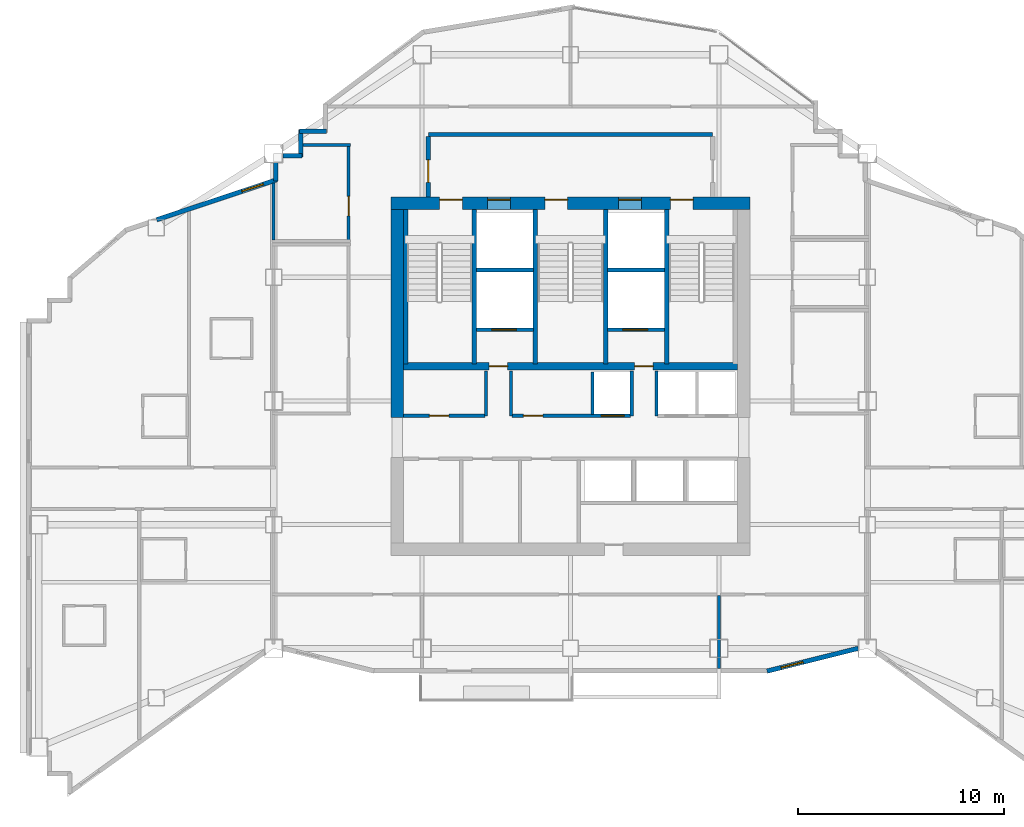
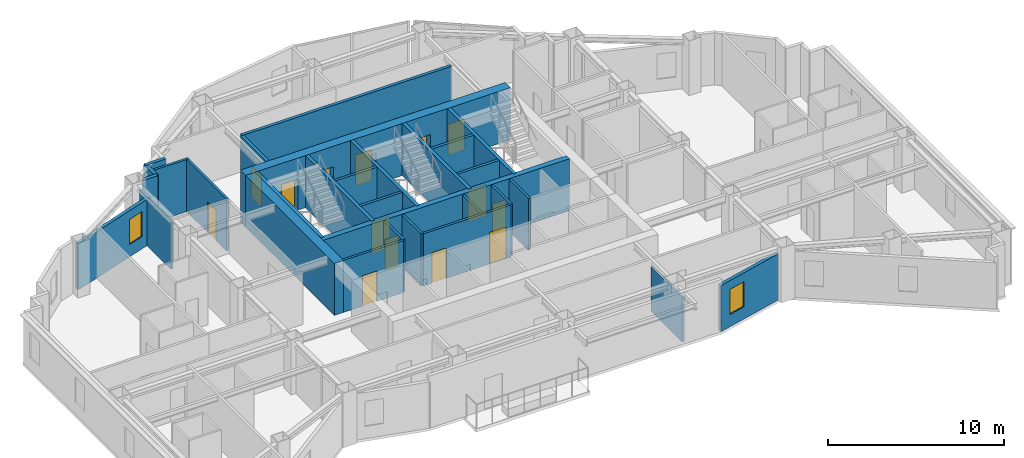
# One storey, part 6 of 12: 31 walls, 14 doors, 2 windows, 16 openings.
"""IFC4 building model written with IfcOpenShell, lengths in metres."""

from ifc_helpers import new_model, si_unit, direction, frame, frame_2d, origin, place, context, subcontext, project, spatial, rectangle, extrude, material, layer, layer_set, type_object, element, fill, save


model = new_model("IFC4")

# Units and contexts
model_context = context("Model", 3, precision=1e-05, world=origin(), true_north=direction((0.0, 1.0)))
body_context = subcontext(model_context, "Body", "Model", "MODEL_VIEW")
ifc_project = project(units=[si_unit("LENGTHUNIT", "METRE"), si_unit("AREAUNIT", "SQUARE_METRE"), si_unit("VOLUMEUNIT", "CUBIC_METRE"), si_unit("PLANEANGLEUNIT", "RADIAN"), si_unit("MASSUNIT", "GRAM", prefix="KILO")], contexts=[model_context])

# Site, building, storey
site_placement = place(None, origin())
site = spatial("IfcSite", under=ifc_project, at=site_placement, CompositionType="ELEMENT")
building_placement = place(site_placement, origin())
building = spatial("IfcBuilding", under=site, at=building_placement, Name="Haolan Belvedere Tower", CompositionType="ELEMENT")
storey_placement = place(building_placement, frame((0.0, 0.0, 184.199951171875)))
storey = spatial("IfcBuildingStorey", under=building, at=storey_placement, Name="L46", CompositionType="ELEMENT", Elevation=184.199951171875)

# Wall, openings, doors
ifc_material_1 = material(Name="Concrete C60/75", Category="concrete")
ifc_layer_1 = layer(ifc_material_1, 0.60009765625, Name="Concrete C60/75")
ifc_layer_set_1 = layer_set([ifc_layer_1], Name="Concrete C60/75")
wall_type_1 = type_object("IfcWallType", Name="WL-CORE-600", PredefinedType="SHEAR", material=ifc_layer_set_1)
wall_1_placement = place(storey_placement, frame((29.699951171875, 43.199951171875, 0.0), z_axis=(0.0, 0.0, 1.0), x_axis=(1.0, 0.0, 0.0)))
wall_1 = element("IfcWall", 1, at=wall_1_placement, inside=storey, type_object=wall_type_1, Name="L46 central core north shear wall", PredefinedType="SHEAR", context=body_context, shape_type="SweptSolid", body=[
    extrude(rectangle(XDim=17.400146484375, YDim=0.60009765625, at=frame_2d((8.7001953125, 0.0))), origin(), (0.0, 0.0, 1.0), 3.6201171875),
])
opening_1_placement = place(wall_1_placement, frame((2.35009765625, 0.0, 0.0)))
opening_1 = element("IfcOpeningElement", 2, at=opening_1_placement, cuts=wall_1, Name="Opening FD-03", PredefinedType="OPENING", context=body_context, shape_type="SweptSolid", body=[
    extrude(rectangle(XDim=1.10009765625, YDim=2.14990234375, at=frame_2d((0.550048828125, 1.074951171875))), frame((0.0, 0.31005859375, 0.0), z_axis=(0.0, -1.0, 0.0), x_axis=(1.0, 0.0, 0.0)), (0.0, 0.0, 1.0), 0.6201171875),
])
opening_2_placement = place(wall_1_placement, frame((7.4599609375, 0.0, 0.0)))
opening_2 = element("IfcOpeningElement", 3, at=opening_2_placement, cuts=wall_1, Name="Opening FD-03", PredefinedType="OPENING", context=body_context, shape_type="SweptSolid", body=[
    extrude(rectangle(XDim=1.10009765625, YDim=2.14990234375, at=frame_2d((0.550048828125, 1.074951171875))), frame((0.0, 0.31005859375, 0.0), z_axis=(0.0, -1.0, 0.0), x_axis=(1.0, 0.0, 0.0)), (0.0, 0.0, 1.0), 0.6201171875),
])
opening_3_placement = place(wall_1_placement, frame((13.550048828125, 0.0, 0.0)))
opening_3 = element("IfcOpeningElement", 4, at=opening_3_placement, cuts=wall_1, Name="Opening FD-03", PredefinedType="OPENING", context=body_context, shape_type="SweptSolid", body=[
    extrude(rectangle(XDim=1.10009765625, YDim=2.14990234375, at=frame_2d((0.550048828125, 1.074951171875))), frame((0.0, 0.31005859375, 0.0), z_axis=(0.0, -1.0, 0.0), x_axis=(1.0, 0.0, 0.0)), (0.0, 0.0, 1.0), 0.6201171875),
])
opening_4_placement = place(wall_1_placement, frame((4.679931640625, 0.0, 0.0)))
opening_4 = element("IfcOpeningElement", 5, at=opening_4_placement, cuts=wall_1, Name="Opening LD-01", PredefinedType="OPENING", context=body_context, shape_type="SweptSolid", body=[
    extrude(rectangle(XDim=1.10009765625, YDim=2.199951171875, at=frame_2d((0.550048828125, 1.10009765625))), frame((0.0, 0.31005859375, 0.0), z_axis=(0.0, -1.0, 0.0), x_axis=(1.0, 0.0, 0.0)), (0.0, 0.0, 1.0), 0.6201171875),
])
opening_5_placement = place(wall_1_placement, frame((11.0400390625, 0.0, 0.0)))
opening_5 = element("IfcOpeningElement", 6, at=opening_5_placement, cuts=wall_1, Name="Opening LD-01", PredefinedType="OPENING", context=body_context, shape_type="SweptSolid", body=[
    extrude(rectangle(XDim=1.10009765625, YDim=2.199951171875, at=frame_2d((0.550048828125, 1.10009765625))), frame((0.0, 0.31005859375, 0.0), z_axis=(0.0, -1.0, 0.0), x_axis=(1.0, 0.0, 0.0)), (0.0, 0.0, 1.0), 0.6201171875),
])
ifc_material_2 = material(Name="Galvanised fire-rated steel", Category="steel")
door_type_1 = type_object("IfcDoorType", Name="DR-FD90-1100", OperationType="NOTDEFINED", PredefinedType="DOOR", material=ifc_material_2)
door_1_placement = place(opening_1_placement, origin())
door_1 = element("IfcDoor", 7, at=door_1_placement, inside=storey, type_object=door_type_1, Name="L46 door CD-L46-ST1", OperationType="SINGLE_SWING_LEFT", OverallHeight=2.14990234375, OverallWidth=1.10009765625, PredefinedType="DOOR", context=body_context, shape_type="SweptSolid", body=[
    extrude(rectangle(XDim=1.10009765625, YDim=2.14990234375, at=frame_2d((0.550048828125, 1.074951171875))), frame((0.0, 0.18505859375, 0.0), z_axis=(0.0, -1.0, 0.0), x_axis=(1.0, 0.0, 0.0)), (0.0, 0.0, 1.0), 0.050048828125),
])
fill(opening_1, door_1)
door_2_placement = place(opening_2_placement, origin())
door_2 = element("IfcDoor", 8, at=door_2_placement, inside=storey, type_object=door_type_1, Name="L46 door CD-L46-ST3", OperationType="SINGLE_SWING_LEFT", OverallHeight=2.14990234375, OverallWidth=1.10009765625, PredefinedType="DOOR", context=body_context, shape_type="SweptSolid", body=[
    extrude(rectangle(XDim=1.10009765625, YDim=2.14990234375, at=frame_2d((0.550048828125, 1.074951171875))), frame((0.0, 0.18505859375, 0.0), z_axis=(0.0, -1.0, 0.0), x_axis=(1.0, 0.0, 0.0)), (0.0, 0.0, 1.0), 0.050048828125),
])
fill(opening_2, door_2)
door_3_placement = place(opening_3_placement, origin())
door_3 = element("IfcDoor", 9, at=door_3_placement, inside=storey, type_object=door_type_1, Name="L46 door CD-L46-ST2", OperationType="SINGLE_SWING_RIGHT", OverallHeight=2.14990234375, OverallWidth=1.10009765625, PredefinedType="DOOR", context=body_context, shape_type="SweptSolid", body=[
    extrude(rectangle(XDim=1.10009765625, YDim=2.14990234375, at=frame_2d((0.550048828125, 1.074951171875))), frame((0.0, 0.18505859375, 0.0), z_axis=(0.0, -1.0, 0.0), x_axis=(1.0, 0.0, 0.0)), (0.0, 0.0, 1.0), 0.050048828125),
])
fill(opening_3, door_3)
ifc_material_3 = material(Name="Brushed champagne stainless steel 316L", Category="steel")
door_type_2 = type_object("IfcDoorType", Name="DR-LIFT-1100", OperationType="SLIDING_TO_LEFT", PredefinedType="DOOR", material=ifc_material_3)
door_4_placement = place(opening_4_placement, origin())
door_4 = element("IfcDoor", 10, at=door_4_placement, inside=storey, type_object=door_type_2, Name="L46 door LD-L46-FF1", OperationType="SLIDING_TO_LEFT", OverallHeight=2.199951171875, OverallWidth=1.10009765625, PredefinedType="DOOR", context=body_context, shape_type="SweptSolid", body=[
    extrude(rectangle(XDim=1.10009765625, YDim=2.199951171875, at=frame_2d((0.550048828125, 1.10009765625))), frame((0.0, 0.18505859375, 0.0), z_axis=(0.0, -1.0, 0.0), x_axis=(1.0, 0.0, 0.0)), (0.0, 0.0, 1.0), 0.050048828125),
])
fill(opening_4, door_4)
door_5_placement = place(opening_5_placement, origin())
door_5 = element("IfcDoor", 11, at=door_5_placement, inside=storey, type_object=door_type_2, Name="L46 door LD-L46-FF2", OperationType="SLIDING_TO_LEFT", OverallHeight=2.199951171875, OverallWidth=1.10009765625, PredefinedType="DOOR", context=body_context, shape_type="SweptSolid", body=[
    extrude(rectangle(XDim=1.10009765625, YDim=2.199951171875, at=frame_2d((0.550048828125, 1.10009765625))), frame((0.0, 0.18505859375, 0.0), z_axis=(0.0, -1.0, 0.0), x_axis=(1.0, 0.0, 0.0)), (0.0, 0.0, 1.0), 0.050048828125),
])
fill(opening_5, door_5)

# Wall
wall_2_placement = place(storey_placement, frame((30.0, 32.800048828125, 0.0), z_axis=(0.0, 0.0, 1.0), x_axis=(0.0, 1.0, 0.0)))
element("IfcWall", 12, at=wall_2_placement, inside=storey, type_object=wall_type_1, Name="L46 central core shear wall WN", PredefinedType="SHEAR", context=body_context, shape_type="SweptSolid", body=[
    extrude(rectangle(XDim=10.099853515625, YDim=0.60009765625, at=frame_2d((5.0498046875, 0.0))), origin(), (0.0, 0.0, 1.0), 3.6201171875),
])

# Wall, opening, window
ifc_material_4 = material(Name="Precast concrete C40/50", Category="concrete")
ifc_layer_2 = layer(ifc_material_4, 0.219970703125, Name="Precast concrete C40/50")
ifc_layer_set_2 = layer_set([ifc_layer_2], Name="Precast concrete C40/50")
wall_type_2 = type_object("IfcWallType", Name="WL-EXT-220", PredefinedType="SOLIDWALL", material=ifc_layer_set_2)
wall_3_placement = place(storey_placement, frame((47.93310546875, 20.49658203125, 0.0), z_axis=(0.0, 0.0, 1.0), x_axis=(0.970142500145, 0.242535625036, 0.0)))
wall_3 = element("IfcWall", 13, at=wall_3_placement, inside=storey, type_object=wall_type_2, Name="L46 pale-metal exterior spandrel wall 2.1", PredefinedType="SOLIDWALL", context=body_context, shape_type="SweptSolid", body=[
    extrude(rectangle(XDim=4.56103515625, YDim=0.219970703125, at=frame_2d((2.280517578125, 0.0))), origin(), (0.0, 0.0, 1.0), 3.215087890625),
])
opening_6_placement = place(wall_3_placement, frame((0.699951171875, 0.0, 0.85009765625)))
opening_6 = element("IfcOpeningElement", 14, at=opening_6_placement, cuts=wall_3, Name="Opening W-03", PredefinedType="OPENING", context=body_context, shape_type="SweptSolid", body=[
    extrude(rectangle(XDim=1.10009765625, YDim=1.75, at=frame_2d((0.550048828125, 0.875))), frame((0.0, 0.119873046875, 0.0), z_axis=(0.0, -1.0, 0.0), x_axis=(1.0, 0.0, 0.0)), (0.0, 0.0, 1.0), 0.239990234375),
])
ifc_material_5 = material(Name="Anodised aluminium 6063-T6 and Low-E glass", Category="aluminium")
window_type = type_object("IfcWindowType", Name="WN-DECO-Z3", PartitioningType="SINGLE_PANEL", PredefinedType="WINDOW", material=ifc_material_5)
window_1_placement = place(opening_6_placement, origin())
window_1 = element("IfcWindow", 15, at=window_1_placement, inside=storey, type_object=window_type, Name="L46 Art Deco chevron window 1", OverallHeight=1.75, OverallWidth=1.10009765625, PartitioningType="SINGLE_PANEL", PredefinedType="WINDOW", context=body_context, shape_type="SweptSolid", body=[
    extrude(rectangle(XDim=1.10009765625, YDim=1.75, at=frame_2d((0.550048828125, 0.875))), frame((0.0, 0.030029296875, 0.0), z_axis=(0.0, -1.0, 0.0), x_axis=(1.0, 0.0, 0.0)), (0.0, 0.0, 1.0), 0.06005859375),
])
fill(opening_6, window_1)

# Walls
for number, where, z_axis, x_axis, name in (
    (16, (26.56494140625, 46.68994140625, 0.0), (0.0, 0.0, 1.0), (-1.0, 0.0, 0.0), "L46 pale-metal exterior spandrel wall 25.1"),
    (17, (25.31005859375, 46.7451171875, 0.0), (0.0, 0.0, 1.0), (0.0, -1.0, 0.0), "L46 pale-metal exterior spandrel wall 26.1"),
):
    element("IfcWall", number, at=place(storey_placement, frame(where, z_axis=z_axis, x_axis=x_axis)), inside=storey, type_object=wall_type_2, Name=name, PredefinedType="SOLIDWALL", context=body_context, shape_type="SweptSolid", body=[
        extrude(rectangle(XDim=1.31005859375, YDim=0.219970703125, at=frame_2d((0.655029296875, 0.0))), origin(), (0.0, 0.0, 1.0), 3.6201171875),
    ])
wall_4_placement = place(storey_placement, frame((25.364990234375, 45.489990234375, 0.0), z_axis=(0.0, 0.0, 1.0), x_axis=(-1.0, 0.0, 0.0)))
element("IfcWall", 18, at=wall_4_placement, inside=storey, type_object=wall_type_2, Name="L46 pale-metal exterior spandrel wall 27.1", PredefinedType="SOLIDWALL", context=body_context, shape_type="SweptSolid", body=[
    extrude(rectangle(XDim=0.923095703125, YDim=0.219970703125, at=frame_2d((0.46142578125, 0.0))), origin(), (0.0, 0.0, 1.0), 3.6201171875),
])
wall_5_placement = place(storey_placement, frame((24.110107421875, 45.157958984375, 0.0), z_axis=(0.0, 0.0, 1.0), x_axis=(0.0, -1.0, 0.0)))
element("IfcWall", 19, at=wall_5_placement, inside=storey, type_object=wall_type_2, Name="L46 pale-metal exterior spandrel wall 28.1", PredefinedType="SOLIDWALL", context=body_context, shape_type="SweptSolid", body=[
    extrude(rectangle(XDim=0.892333984375, YDim=0.219970703125, at=frame_2d((0.4462890625, 0.0))), origin(), (0.0, 0.0, 1.0), 3.215087890625),
])

# Wall, opening, window
wall_6_placement = place(storey_placement, frame((24.162109375, 44.338134765625, 0.0), z_axis=(0.0, 0.0, 1.0), x_axis=(-0.948687265055, -0.316215864755, 0.0)))
wall_6 = element("IfcWall", 20, at=wall_6_placement, inside=storey, type_object=wall_type_2, Name="L46 pale-metal exterior spandrel wall 29.1", PredefinedType="SOLIDWALL", context=body_context, shape_type="SweptSolid", body=[
    extrude(rectangle(XDim=6.154052734375, YDim=0.219970703125, at=frame_2d((3.0771484375, 0.0))), origin(), (0.0, 0.0, 1.0), 3.215087890625),
])
opening_7_placement = place(wall_6_placement, frame((0.699951171875, 0.0, 0.85009765625)))
opening_7 = element("IfcOpeningElement", 21, at=opening_7_placement, cuts=wall_6, Name="Opening W-03", PredefinedType="OPENING", context=body_context, shape_type="SweptSolid", body=[
    extrude(rectangle(XDim=1.10009765625, YDim=1.75, at=frame_2d((0.550048828125, 0.875))), frame((0.0, 0.119873046875, 0.0), z_axis=(0.0, -1.0, 0.0), x_axis=(1.0, 0.0, 0.0)), (0.0, 0.0, 1.0), 0.239990234375),
])
window_2_placement = place(opening_7_placement, origin())
window_2 = element("IfcWindow", 22, at=window_2_placement, inside=storey, type_object=window_type, Name="L46 Art Deco chevron window 1", OverallHeight=1.75, OverallWidth=1.10009765625, PartitioningType="SINGLE_PANEL", PredefinedType="WINDOW", context=body_context, shape_type="SweptSolid", body=[
    extrude(rectangle(XDim=1.10009765625, YDim=1.75, at=frame_2d((0.550048828125, 0.875))), frame((0.0, 0.030029296875, 0.0), z_axis=(0.0, -1.0, 0.0), x_axis=(1.0, 0.0, 0.0)), (0.0, 0.0, 1.0), 0.06005859375),
])
fill(opening_7, window_2)

# Wall
ifc_material_6 = material(Name="Concrete C40/50", Category="concrete")
ifc_layer_3 = layer(ifc_material_6, 0.199951171875, Name="Concrete C40/50")
ifc_layer_set_3 = layer_set([ifc_layer_3], Name="Concrete C40/50")
wall_type_3 = type_object("IfcWallType", Name="WL-FIRE-200", PredefinedType="SOLIDWALL", material=ifc_layer_set_3)
wall_7_placement = place(storey_placement, frame((31.5, 46.52001953125, 0.0), z_axis=(0.0, 0.0, 1.0), x_axis=(1.0, 0.0, 0.0)))
element("IfcWall", 23, at=wall_7_placement, inside=storey, type_object=wall_type_3, Name="L46 interior partition IW-L46-FFL-N", PredefinedType="SOLIDWALL", context=body_context, shape_type="SweptSolid", body=[
    extrude(rectangle(XDim=13.800048828125, YDim=0.199951171875, at=frame_2d((6.89990234375, 0.0))), origin(), (0.0, 0.0, 1.0), 3.6201171875),
])

# Wall, opening, door
wall_8_placement = place(storey_placement, frame((31.5, 43.5, 0.0), z_axis=(0.0, 0.0, 1.0), x_axis=(0.0, 1.0, 0.0)))
wall_8 = element("IfcWall", 24, at=wall_8_placement, inside=storey, type_object=wall_type_3, Name="L46 interior partition IW-L46-FFL-W", PredefinedType="SOLIDWALL", context=body_context, shape_type="SweptSolid", body=[
    extrude(rectangle(XDim=2.93505859375, YDim=0.199951171875, at=frame_2d((1.467529296875, 0.0))), origin(), (0.0, 0.0, 1.0), 3.6201171875),
])
opening_8_placement = place(wall_8_placement, frame((1.800048828125, 0.0, 0.0), z_axis=(0.0, 0.0, 1.0), x_axis=(-1.0, 0.0, 0.0)))
opening_8 = element("IfcOpeningElement", 25, at=opening_8_placement, cuts=wall_8, Name="Opening FD-03", PredefinedType="OPENING", context=body_context, shape_type="SweptSolid", body=[
    extrude(rectangle(XDim=1.10009765625, YDim=2.14990234375, at=frame_2d((0.550048828125, 1.074951171875))), frame((0.0, 0.10986328125, 0.0), z_axis=(0.0, -1.0, 0.0), x_axis=(1.0, 0.0, 0.0)), (0.0, 0.0, 1.0), 0.219970703125),
])
door_6_placement = place(opening_8_placement, origin())
door_6 = element("IfcDoor", 26, at=door_6_placement, inside=storey, type_object=door_type_1, Name="L46 door ID-L46-FFL-DW", OperationType="SINGLE_SWING_LEFT", OverallHeight=2.14990234375, OverallWidth=1.10009765625, PredefinedType="DOOR", context=body_context, shape_type="SweptSolid", body=[
    extrude(rectangle(XDim=1.10009765625, YDim=2.14990234375, at=frame_2d((0.550048828125, 1.074951171875))), frame((0.0, 0.02490234375, 0.0), z_axis=(0.0, -1.0, 0.0), x_axis=(1.0, 0.0, 0.0)), (0.0, 0.0, 1.0), 0.050048828125),
])
fill(opening_8, door_6)

# Walls
ifc_material_7 = material(Name="Double gypsum acoustic stud partition", Category="masonry")
ifc_layer_4 = layer(ifc_material_7, 0.14990234375, Name="Double gypsum acoustic stud partition")
ifc_layer_set_4 = layer_set([ifc_layer_4], Name="Double gypsum acoustic stud partition")
wall_type_4 = type_object("IfcWallType", Name="WL-PART-150", PredefinedType="PARTITIONING", material=ifc_layer_set_4)
wall_9_placement = place(storey_placement, frame((25.412109375, 46.02001953125, 0.0), z_axis=(0.0, 0.0, 1.0), x_axis=(1.0, 0.0, 0.0)))
element("IfcWall", 27, at=wall_9_placement, inside=storey, type_object=wall_type_4, Name="L46 interior partition IW-L46-HSK-N", PredefinedType="PARTITIONING", context=body_context, shape_type="SweptSolid", body=[
    extrude(rectangle(XDim=2.307861328125, YDim=0.14990234375, at=frame_2d((1.15380859375, 0.0))), origin(), (0.0, 0.0, 1.0), 3.6201171875),
])
wall_10_placement = place(storey_placement, frame((24.0, 41.419921875, 0.0), z_axis=(0.0, 0.0, 1.0), x_axis=(0.0, 1.0, 0.0)))
element("IfcWall", 28, at=wall_10_placement, inside=storey, type_object=wall_type_4, Name="L46 interior partition IW-L46-HSK-W", PredefinedType="PARTITIONING", context=body_context, shape_type="SweptSolid", body=[
    extrude(rectangle(XDim=2.756591796875, YDim=0.14990234375, at=frame_2d((1.37841796875, 0.0))), origin(), (0.0, 0.0, 1.0), 3.215087890625),
])

# Wall, opening, door
wall_11_placement = place(storey_placement, frame((27.639892578125, 41.419921875, 0.0), z_axis=(0.0, 0.0, 1.0), x_axis=(0.0, 1.0, 0.0)))
wall_11 = element("IfcWall", 29, at=wall_11_placement, inside=storey, type_object=wall_type_4, Name="L46 interior partition IW-L46-HSK-E", PredefinedType="PARTITIONING", context=body_context, shape_type="SweptSolid", body=[
    extrude(rectangle(XDim=4.5400390625, YDim=0.14990234375, at=frame_2d((2.27001953125, 0.0))), origin(), (0.0, 0.0, 1.0), 3.6201171875),
])
opening_9_placement = place(wall_11_placement, frame((2.10986328125, 0.0, 0.0), z_axis=(0.0, 0.0, 1.0), x_axis=(-1.0, 0.0, 0.0)))
opening_9 = element("IfcOpeningElement", 30, at=opening_9_placement, cuts=wall_11, Name="Opening ID-03", PredefinedType="OPENING", context=body_context, shape_type="SweptSolid", body=[
    extrude(rectangle(XDim=0.949951171875, YDim=2.1201171875, at=frame_2d((0.47509765625, 1.06005859375))), frame((0.0, 0.0849609375, 0.0), z_axis=(0.0, -1.0, 0.0), x_axis=(1.0, 0.0, 0.0)), (0.0, 0.0, 1.0), 0.169921875),
])
ifc_material_8 = material(Name="Painted solid-core timber", Category="wood")
door_type_3 = type_object("IfcDoorType", Name="DR-INT-950", OperationType="NOTDEFINED", PredefinedType="DOOR", material=ifc_material_8)
door_7_placement = place(opening_9_placement, origin())
door_7 = element("IfcDoor", 31, at=door_7_placement, inside=storey, type_object=door_type_3, Name="L46 door ID-L46-HSK", OperationType="SINGLE_SWING_RIGHT", OverallHeight=2.1201171875, OverallWidth=0.949951171875, PredefinedType="DOOR", context=body_context, shape_type="SweptSolid", body=[
    extrude(rectangle(XDim=0.949951171875, YDim=2.1201171875, at=frame_2d((0.47509765625, 1.06005859375))), frame((0.0, 0.02490234375, 0.0), z_axis=(0.0, -1.0, 0.0), x_axis=(1.0, 0.0, 0.0)), (0.0, 0.0, 1.0), 0.050048828125),
])
fill(opening_9, door_7)

# Walls
wall_12_placement = place(storey_placement, frame((45.60009765625, 20.612060546875, 0.0), z_axis=(0.0, 0.0, 1.0), x_axis=(0.0, 1.0, 0.0)))
element("IfcWall", 32, at=wall_12_placement, inside=storey, type_object=wall_type_4, Name="L46 interior partition IW-L46-KS2-E", PredefinedType="PARTITIONING", context=body_context, shape_type="SweptSolid", body=[
    extrude(rectangle(XDim=3.5478515625, YDim=0.14990234375, at=frame_2d((1.77392578125, 0.0))), origin(), (0.0, 0.0, 1.0), 3.10498046875),
])
ifc_material_9 = material(Name="Gypsum fire shaftwall assembly", Category="masonry")
ifc_layer_5 = layer(ifc_material_9, 0.1650390625, Name="Gypsum fire shaftwall assembly")
ifc_layer_set_5 = layer_set([ifc_layer_5], Name="Gypsum fire shaftwall assembly")
wall_type_5 = type_object("IfcWallType", Name="WL-SHAFT-160", PredefinedType="SOLIDWALL", material=ifc_layer_set_5)
for number, where, z_axis, x_axis, name in (
    (33, (34.31005859375, 32.8798828125, 0.0), (0.0, 0.0, 1.0), (0.0, 1.0, 0.0), "L46 interior partition IW-L46-SVP-W-SV1"),
    (34, (35.510009765625, 32.8798828125, 0.0), (0.0, 0.0, 1.0), (0.0, 1.0, 0.0), "L46 interior partition IW-L46-SVP-E-SV1"),
    (35, (41.3701171875, 32.8798828125, 0.0), (0.0, 0.0, 1.0), (0.0, 1.0, 0.0), "L46 interior partition IW-L46-SVP-W-SV2"),
    (36, (42.570068359375, 32.8798828125, 0.0), (0.0, 0.0, 1.0), (0.0, 1.0, 0.0), "L46 interior partition IW-L46-SVP-E-SV2"),
):
    element("IfcWall", number, at=place(storey_placement, frame(where, z_axis=z_axis, x_axis=x_axis)), inside=storey, type_object=wall_type_5, Name=name, PredefinedType="SOLIDWALL", context=body_context, shape_type="SweptSolid", body=[
        extrude(rectangle(XDim=2.170166015625, YDim=0.14990234375, at=frame_2d((1.0849609375, 0.0))), origin(), (0.0, 0.0, 1.0), 3.6201171875),
    ])

# Wall, opening, door
wall_13_placement = place(storey_placement, frame((30.300048828125, 32.8798828125, 0.0), z_axis=(0.0, 0.0, 1.0), x_axis=(1.0, 0.0, 0.0)))
wall_13 = element("IfcWall", 37, at=wall_13_placement, inside=storey, type_object=wall_type_5, Name="L46 interior partition IW-L46-ROW-PN1", PredefinedType="SOLIDWALL", context=body_context, shape_type="SweptSolid", body=[
    extrude(rectangle(XDim=3.949951171875, YDim=0.159912109375, at=frame_2d((1.97509765625, 0.0))), origin(), (0.0, 0.0, 1.0), 3.6201171875),
])
opening_10_placement = place(wall_13_placement, frame((2.199951171875, 0.0, 0.0), z_axis=(0.0, 0.0, 1.0), x_axis=(-1.0, 0.0, 0.0)))
opening_10 = element("IfcOpeningElement", 38, at=opening_10_placement, cuts=wall_13, Name="Opening ID-03", PredefinedType="OPENING", context=body_context, shape_type="SweptSolid", body=[
    extrude(rectangle(XDim=0.949951171875, YDim=2.1201171875, at=frame_2d((0.47509765625, 1.06005859375))), frame((0.0, 0.08984375, 0.0), z_axis=(0.0, -1.0, 0.0), x_axis=(1.0, 0.0, 0.0)), (0.0, 0.0, 1.0), 0.179931640625),
])
door_8_placement = place(opening_10_placement, origin())
door_8 = element("IfcDoor", 39, at=door_8_placement, inside=storey, type_object=door_type_3, Name="L46 door ID-L46-CD-RPLW", OperationType="SINGLE_SWING_LEFT", OverallHeight=2.1201171875, OverallWidth=0.949951171875, PredefinedType="DOOR", context=body_context, shape_type="SweptSolid", body=[
    extrude(rectangle(XDim=0.949951171875, YDim=2.1201171875, at=frame_2d((0.47509765625, 1.06005859375))), frame((0.0, 0.02490234375, 0.0), z_axis=(0.0, -1.0, 0.0), x_axis=(1.0, 0.0, 0.0)), (0.0, 0.0, 1.0), 0.050048828125),
])
fill(opening_10, door_8)

# Wall, openings, doors
wall_14_placement = place(storey_placement, frame((35.570068359375, 32.8798828125, 0.0), z_axis=(0.0, 0.0, 1.0), x_axis=(1.0, 0.0, 0.0)))
wall_14 = element("IfcWall", 40, at=wall_14_placement, inside=storey, type_object=wall_type_5, Name="L46 interior partition IW-L46-ROW-PN2", PredefinedType="SOLIDWALL", context=body_context, shape_type="SweptSolid", body=[
    extrude(rectangle(XDim=5.739990234375, YDim=0.159912109375, at=frame_2d((2.8701171875, 0.0))), origin(), (0.0, 0.0, 1.0), 3.6201171875),
])
opening_11_placement = place(wall_14_placement, frame((1.489990234375, 0.0, 0.0), z_axis=(0.0, 0.0, 1.0), x_axis=(-1.0, 0.0, 0.0)))
opening_11 = element("IfcOpeningElement", 41, at=opening_11_placement, cuts=wall_14, Name="Opening ID-03", PredefinedType="OPENING", context=body_context, shape_type="SweptSolid", body=[
    extrude(rectangle(XDim=0.949951171875, YDim=2.1201171875, at=frame_2d((0.47509765625, 1.06005859375))), frame((0.0, 0.08984375, 0.0), z_axis=(0.0, -1.0, 0.0), x_axis=(1.0, 0.0, 0.0)), (0.0, 0.0, 1.0), 0.179931640625),
])
opening_12_placement = place(wall_14_placement, frame((5.43017578125, 0.0, 0.0), z_axis=(0.0, 0.0, 1.0), x_axis=(-1.0, 0.0, 0.0)))
opening_12 = element("IfcOpeningElement", 42, at=opening_12_placement, cuts=wall_14, Name="Opening LD-01", PredefinedType="OPENING", context=body_context, shape_type="SweptSolid", body=[
    extrude(rectangle(XDim=1.10009765625, YDim=2.199951171875, at=frame_2d((0.550048828125, 1.10009765625))), frame((0.0, 0.08984375, 0.0), z_axis=(0.0, -1.0, 0.0), x_axis=(1.0, 0.0, 0.0)), (0.0, 0.0, 1.0), 0.179931640625),
])
door_9_placement = place(opening_11_placement, origin())
door_9 = element("IfcDoor", 43, at=door_9_placement, inside=storey, type_object=door_type_3, Name="L46 door ID-L46-CD-RPLE", OperationType="SINGLE_SWING_RIGHT", OverallHeight=2.1201171875, OverallWidth=0.949951171875, PredefinedType="DOOR", context=body_context, shape_type="SweptSolid", body=[
    extrude(rectangle(XDim=0.949951171875, YDim=2.1201171875, at=frame_2d((0.47509765625, 1.06005859375))), frame((0.0, 0.02490234375, 0.0), z_axis=(0.0, -1.0, 0.0), x_axis=(1.0, 0.0, 0.0)), (0.0, 0.0, 1.0), 0.050048828125),
])
fill(opening_11, door_9)
door_10_placement = place(opening_12_placement, origin())
door_10 = element("IfcDoor", 44, at=door_10_placement, inside=storey, type_object=door_type_2, Name="L46 door ID-L46-LD-PH1", OperationType="SLIDING_TO_RIGHT", OverallHeight=2.199951171875, OverallWidth=1.10009765625, PredefinedType="DOOR", context=body_context, shape_type="SweptSolid", body=[
    extrude(rectangle(XDim=1.10009765625, YDim=2.199951171875, at=frame_2d((0.550048828125, 1.10009765625))), frame((0.0, 0.02490234375, 0.0), z_axis=(0.0, -1.0, 0.0), x_axis=(1.0, 0.0, 0.0)), (0.0, 0.0, 1.0), 0.050048828125),
])
fill(opening_12, door_10)

# Walls
wall_15_placement = place(storey_placement, frame((39.469970703125, 32.949951171875, 0.0), z_axis=(0.0, 0.0, 1.0), x_axis=(0.0, 1.0, 0.0)))
element("IfcWall", 45, at=wall_15_placement, inside=storey, type_object=wall_type_5, Name="L46 interior partition IW-L46-DIV-PL4R", PredefinedType="SOLIDWALL", context=body_context, shape_type="SweptSolid", body=[
    extrude(rectangle(XDim=2.050048828125, YDim=0.14990234375, at=frame_2d((1.02490234375, 0.0))), origin(), (0.0, 0.0, 1.0), 3.6201171875),
])
ifc_layer_6 = layer(ifc_material_4, 0.179931640625, Name="Precast concrete C40/50")
ifc_layer_set_6 = layer_set([ifc_layer_6], Name="Precast concrete C40/50")
wall_type_6 = type_object("IfcWallType", Name="WL-SHAFT-180", PredefinedType="SOLIDWALL", material=ifc_layer_set_6)
for number, where, z_axis, x_axis, name in (
    (46, (33.8349609375, 39.949951171875, 0.0), (0.0, 0.0, 1.0), (1.0, 0.0, 0.0), "L46 interior partition IW-L46-FF1-S"),
    (47, (40.195068359375, 39.949951171875, 0.0), (0.0, 0.0, 1.0), (1.0, 0.0, 0.0), "L46 interior partition IW-L46-FF2-S"),
):
    element("IfcWall", number, at=place(storey_placement, frame(where, z_axis=z_axis, x_axis=x_axis)), inside=storey, type_object=wall_type_6, Name=name, PredefinedType="SOLIDWALL", context=body_context, shape_type="SweptSolid", body=[
        extrude(rectangle(XDim=2.77001953125, YDim=0.179931640625, at=frame_2d((1.385009765625, 0.0))), origin(), (0.0, 0.0, 1.0), 3.6201171875),
    ])

# Wall, opening, door
wall_16_placement = place(storey_placement, frame((33.8349609375, 37.050048828125, 0.0), z_axis=(0.0, 0.0, 1.0), x_axis=(1.0, 0.0, 0.0)))
wall_16 = element("IfcWall", 48, at=wall_16_placement, inside=storey, type_object=wall_type_6, Name="L46 interior partition IW-L46-SV1-S", PredefinedType="SOLIDWALL", context=body_context, shape_type="SweptSolid", body=[
    extrude(rectangle(XDim=2.77001953125, YDim=0.179931640625, at=frame_2d((1.385009765625, 0.0))), origin(), (0.0, 0.0, 1.0), 3.6201171875),
])
opening_13_placement = place(wall_16_placement, frame((1.945068359375, 0.0, 0.0), z_axis=(0.0, 0.0, 1.0), x_axis=(-1.0, 0.0, 0.0)))
opening_13 = element("IfcOpeningElement", 49, at=opening_13_placement, cuts=wall_16, Name="Opening LD-02", PredefinedType="OPENING", context=body_context, shape_type="SweptSolid", body=[
    extrude(rectangle(XDim=1.199951171875, YDim=2.199951171875, at=frame_2d((0.60009765625, 1.10009765625))), frame((0.0, 0.099853515625, 0.0), z_axis=(0.0, -1.0, 0.0), x_axis=(1.0, 0.0, 0.0)), (0.0, 0.0, 1.0), 0.199951171875),
])
door_type_4 = type_object("IfcDoorType", Name="DR-LIFT-1200", OperationType="SLIDING_TO_RIGHT", PredefinedType="DOOR", material=ifc_material_3)
door_11_placement = place(opening_13_placement, origin())
door_11 = element("IfcDoor", 50, at=door_11_placement, inside=storey, type_object=door_type_4, Name="L46 door ID-L46-LD-SV1", OperationType="SLIDING_TO_RIGHT", OverallHeight=2.199951171875, OverallWidth=1.199951171875, PredefinedType="DOOR", context=body_context, shape_type="SweptSolid", body=[
    extrude(rectangle(XDim=1.199951171875, YDim=2.199951171875, at=frame_2d((0.60009765625, 1.10009765625))), frame((0.0, 0.02490234375, 0.0), z_axis=(0.0, -1.0, 0.0), x_axis=(1.0, 0.0, 0.0)), (0.0, 0.0, 1.0), 0.050048828125),
])
fill(opening_13, door_11)

wall_17_placement = place(storey_placement, frame((40.195068359375, 37.050048828125, 0.0), z_axis=(0.0, 0.0, 1.0), x_axis=(1.0, 0.0, 0.0)))
wall_17 = element("IfcWall", 51, at=wall_17_placement, inside=storey, type_object=wall_type_6, Name="L46 interior partition IW-L46-SV2-S", PredefinedType="SOLIDWALL", context=body_context, shape_type="SweptSolid", body=[
    extrude(rectangle(XDim=2.77001953125, YDim=0.179931640625, at=frame_2d((1.385009765625, 0.0))), origin(), (0.0, 0.0, 1.0), 3.6201171875),
])
opening_14_placement = place(wall_17_placement, frame((1.945068359375, 0.0, 0.0), z_axis=(0.0, 0.0, 1.0), x_axis=(-1.0, 0.0, 0.0)))
opening_14 = element("IfcOpeningElement", 52, at=opening_14_placement, cuts=wall_17, Name="Opening LD-02", PredefinedType="OPENING", context=body_context, shape_type="SweptSolid", body=[
    extrude(rectangle(XDim=1.199951171875, YDim=2.199951171875, at=frame_2d((0.60009765625, 1.10009765625))), frame((0.0, 0.099853515625, 0.0), z_axis=(0.0, -1.0, 0.0), x_axis=(1.0, 0.0, 0.0)), (0.0, 0.0, 1.0), 0.199951171875),
])
door_12_placement = place(opening_14_placement, origin())
door_12 = element("IfcDoor", 53, at=door_12_placement, inside=storey, type_object=door_type_4, Name="L46 door ID-L46-LD-SV2", OperationType="SLIDING_TO_RIGHT", OverallHeight=2.199951171875, OverallWidth=1.199951171875, PredefinedType="DOOR", context=body_context, shape_type="SweptSolid", body=[
    extrude(rectangle(XDim=1.199951171875, YDim=2.199951171875, at=frame_2d((0.60009765625, 1.10009765625))), frame((0.0, 0.02490234375, 0.0), z_axis=(0.0, -1.0, 0.0), x_axis=(1.0, 0.0, 0.0)), (0.0, 0.0, 1.0), 0.050048828125),
])
fill(opening_14, door_12)

# Walls
ifc_material_10 = material(Name="Concrete C50/60", Category="concrete")
ifc_layer_7 = layer(ifc_material_10, 0.219970703125, Name="Concrete C50/60")
ifc_layer_set_7 = layer_set([ifc_layer_7], Name="Concrete C50/60")
wall_type_7 = type_object("IfcWallType", Name="WL-STAIR-220", PredefinedType="SHEAR", material=ifc_layer_set_7)
for number, where, z_axis, x_axis, name in (
    (54, (30.412109375, 35.389892578125, 0.0), (0.0, 0.0, 1.0), (0.0, 1.0, 0.0), "L46 structural stair core wall ST1W"),
    (55, (33.739990234375, 35.389892578125, 0.0), (0.0, 0.0, 1.0), (0.0, 1.0, 0.0), "L46 structural stair core wall ST1E"),
    (56, (36.699951171875, 35.389892578125, 0.0), (0.0, 0.0, 1.0), (0.0, 1.0, 0.0), "L46 structural stair core wall ST3W"),
    (57, (40.10009765625, 35.389892578125, 0.0), (0.0, 0.0, 1.0), (0.0, 1.0, 0.0), "L46 structural stair core wall ST3E"),
    (58, (43.06005859375, 35.389892578125, 0.0), (0.0, 0.0, 1.0), (0.0, 1.0, 0.0), "L46 structural stair core wall ST2W"),
):
    element("IfcWall", number, at=place(storey_placement, frame(where, z_axis=z_axis, x_axis=x_axis)), inside=storey, type_object=wall_type_7, Name=name, PredefinedType="SHEAR", context=body_context, shape_type="SweptSolid", body=[
        extrude(rectangle(XDim=7.510009765625, YDim=0.219970703125, at=frame_2d((3.7548828125, 0.0))), origin(), (0.0, 0.0, 1.0), 3.6201171875),
    ])

# Wall, openings, doors
ifc_layer_8 = layer(ifc_material_1, 0.360107421875, Name="Concrete C60/75")
ifc_layer_set_8 = layer_set([ifc_layer_8], Name="Concrete C60/75")
wall_type_8 = type_object("IfcWallType", Name="WL-WEB-350", PredefinedType="SHEAR", material=ifc_layer_set_8)
wall_18_placement = place(storey_placement, frame((30.300048828125, 35.2900390625, 0.0), z_axis=(0.0, 0.0, 1.0), x_axis=(1.0, 0.0, 0.0)))
wall_18 = element("IfcWall", 59, at=wall_18_placement, inside=storey, type_object=wall_type_8, Name="L46 central core internal shear web", PredefinedType="SHEAR", context=body_context, shape_type="SweptSolid", body=[
    extrude(rectangle(XDim=16.199951171875, YDim=0.360107421875, at=frame_2d((8.10009765625, 0.0))), origin(), (0.0, 0.0, 1.0), 3.6201171875),
])
opening_15_placement = place(wall_18_placement, frame((5.0498046875, 0.0, 0.0), z_axis=(0.0, 0.0, 1.0), x_axis=(-1.0, 0.0, 0.0)))
opening_15 = element("IfcOpeningElement", 60, at=opening_15_placement, cuts=wall_18, Name="Opening FD-05", PredefinedType="OPENING", context=body_context, shape_type="SweptSolid", body=[
    extrude(rectangle(XDim=0.89990234375, YDim=2.10009765625, at=frame_2d((0.449951171875, 1.050048828125))), frame((0.0, 0.18994140625, 0.0), z_axis=(0.0, -1.0, 0.0), x_axis=(1.0, 0.0, 0.0)), (0.0, 0.0, 1.0), 0.380126953125),
])
opening_16_placement = place(wall_18_placement, frame((12.10986328125, 0.0, 0.0), z_axis=(0.0, 0.0, 1.0), x_axis=(-1.0, 0.0, 0.0)))
opening_16 = element("IfcOpeningElement", 61, at=opening_16_placement, cuts=wall_18, Name="Opening FD-05", PredefinedType="OPENING", context=body_context, shape_type="SweptSolid", body=[
    extrude(rectangle(XDim=0.89990234375, YDim=2.10009765625, at=frame_2d((0.449951171875, 1.050048828125))), frame((0.0, 0.18994140625, 0.0), z_axis=(0.0, -1.0, 0.0), x_axis=(1.0, 0.0, 0.0)), (0.0, 0.0, 1.0), 0.380126953125),
])
door_type_5 = type_object("IfcDoorType", Name="DR-FD60-900", OperationType="NOTDEFINED", PredefinedType="DOOR", material=ifc_material_2)
door_13_placement = place(opening_15_placement, origin())
door_13 = element("IfcDoor", 62, at=door_13_placement, inside=storey, type_object=door_type_5, Name="L46 door CD-L46-SVL-SV1", OperationType="SINGLE_SWING_RIGHT", OverallHeight=2.10009765625, OverallWidth=0.89990234375, PredefinedType="DOOR", context=body_context, shape_type="SweptSolid", body=[
    extrude(rectangle(XDim=0.89990234375, YDim=2.10009765625, at=frame_2d((0.449951171875, 1.050048828125))), frame((0.0, 0.02490234375, 0.0), z_axis=(0.0, -1.0, 0.0), x_axis=(1.0, 0.0, 0.0)), (0.0, 0.0, 1.0), 0.050048828125),
])
fill(opening_15, door_13)
door_14_placement = place(opening_16_placement, origin())
door_14 = element("IfcDoor", 63, at=door_14_placement, inside=storey, type_object=door_type_5, Name="L46 door CD-L46-SVL-SV2", OperationType="SINGLE_SWING_RIGHT", OverallHeight=2.10009765625, OverallWidth=0.89990234375, PredefinedType="DOOR", context=body_context, shape_type="SweptSolid", body=[
    extrude(rectangle(XDim=0.89990234375, YDim=2.10009765625, at=frame_2d((0.449951171875, 1.050048828125))), frame((0.0, 0.02490234375, 0.0), z_axis=(0.0, -1.0, 0.0), x_axis=(1.0, 0.0, 0.0)), (0.0, 0.0, 1.0), 0.050048828125),
])
fill(opening_16, door_14)

save(model, "model.ifc")
